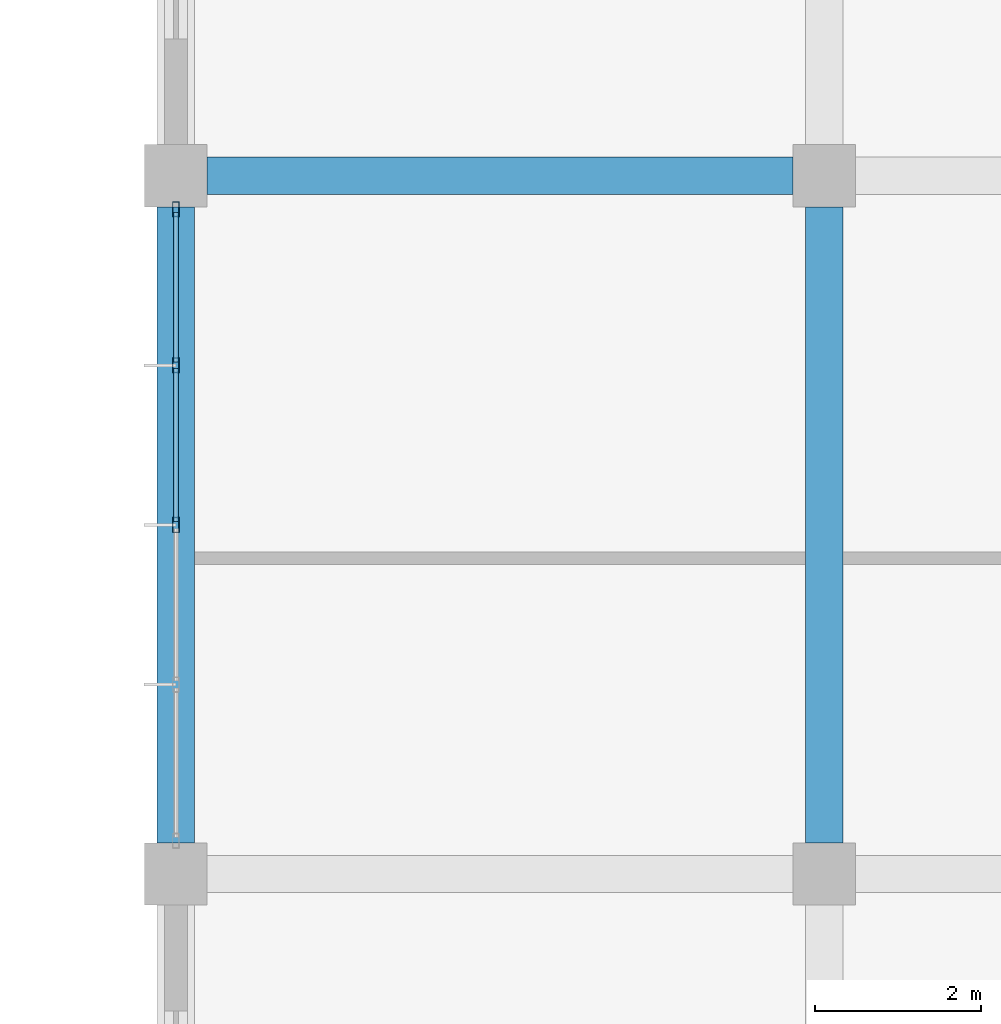
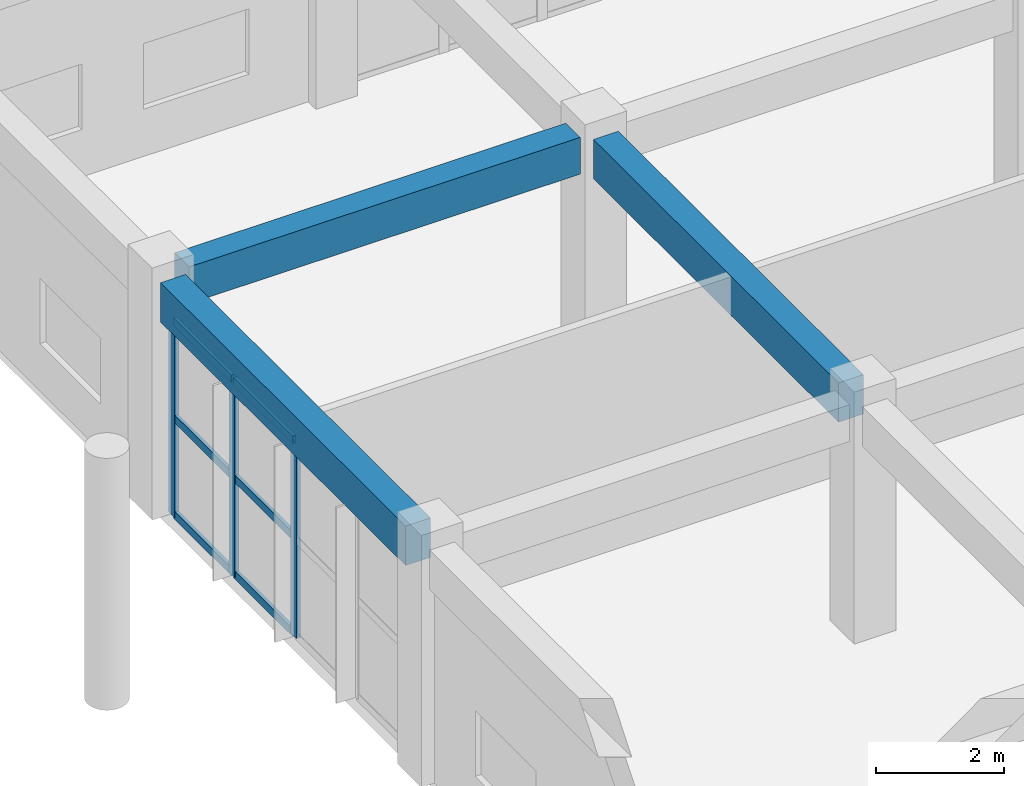
# One storey, part 55 of 167: 9 members, 3 beams, 1 element without a shape of its own.
"""IFC4 building model written with IfcOpenShell, lengths in metres."""

import ifcopenshell
import ifcopenshell.guid

model = None  # the IFC model being written
_history = None  # IfcOwnerHistory: only IFC2X3 demands one
_inside = {}  # id of a spatial element -> (the spatial element, [elements in it])
_under = {}  # id of a project, library or spatial element -> (it, [spatial elements below it])
_declared = {}  # id of a project -> (the project, [libraries it declares])
_typed = {}  # id of a type object -> (the type object, [elements of that type])
_made_of = {}  # id of a material, layer set ... -> (it, [elements and type objects made of it])


def new_model(schema):
    """Start an empty IFC model of exactly this schema.

    Asked for "IFC4X3", IfcOpenShell would pick the latest addendum, in which some entities
    have other attributes; the version numbers below select the first issue.
    IFC2X3 requires an IfcOwnerHistory on every rooted entity: one is made here for all.
    """
    global model, _history
    if schema == "IFC4X3":
        model = ifcopenshell.file(schema_version=(4, 3, 0, 0))
    else:
        model = ifcopenshell.file(schema=schema)
    _inside.clear()
    _under.clear()
    _declared.clear()
    _typed.clear()
    _made_of.clear()
    _history = None
    if model.schema == "IFC2X3":
        org = make("IfcOrganization", Name="unknown")
        user = make(
            "IfcPersonAndOrganization",
            ThePerson=make("IfcPerson", FamilyName="unknown"),
            TheOrganization=org,
        )
        app = make(
            "IfcApplication",
            ApplicationDeveloper=org,
            Version="unknown",
            ApplicationFullName="unknown",
            ApplicationIdentifier="unknown",
        )
        _history = make(
            "IfcOwnerHistory",
            OwningUser=user,
            OwningApplication=app,
            ChangeAction="ADDED",
            CreationDate=0,
        )
    return model


def make(cls, **values):
    """One entity of the class cls with the attributes given. An attribute that is None is left unset."""
    return model.create_entity(
        cls, **{name: value for name, value in values.items() if value is not None}
    )


def rooted(cls, **values):
    """An entity with a GlobalId (a new one), such as an element, a storey or a relation."""
    return make(cls, GlobalId=ifcopenshell.guid.new(), OwnerHistory=_history, **values)


def si_unit(unit_type, name, prefix=None):
    """IfcSIUnit, for example si_unit("LENGTHUNIT", "METRE", prefix="MILLI")."""
    return make("IfcSIUnit", UnitType=unit_type, Prefix=prefix, Name=name)


def assignment(units):
    """IfcUnitAssignment: the units of a project."""
    return None if units is None else make("IfcUnitAssignment", Units=units)


def point(xyz):
    """IfcCartesianPoint."""
    return None if xyz is None else make("IfcCartesianPoint", Coordinates=xyz)


def direction(xyz):
    """IfcDirection."""
    return None if xyz is None else make("IfcDirection", DirectionRatios=xyz)


def frame(location, z_axis=None, x_axis=None):
    """IfcAxis2Placement3D, a coordinate frame: its origin and axes. An axis left out is left unset."""
    return make(
        "IfcAxis2Placement3D",
        Location=point(location),
        Axis=direction(z_axis),
        RefDirection=direction(x_axis),
    )


def frame_2d(location, x_axis=None):
    """IfcAxis2Placement2D, a coordinate frame in the plane: its origin and x axis."""
    return make(
        "IfcAxis2Placement2D", Location=point(location), RefDirection=direction(x_axis)
    )


def origin():
    """The frame at (0, 0, 0) with its axes left unset."""
    return frame((0.0, 0.0, 0.0))


def origin_2d():
    """The frame at (0, 0) in the plane with its x axis left unset."""
    return frame_2d((0.0, 0.0))


def place(relative_to, where):
    """IfcLocalPlacement: puts the frame where relative to a parent placement (None: the world)."""
    return make(
        "IfcLocalPlacement", PlacementRelTo=relative_to, RelativePlacement=where
    )


def context(
    kind, dimensions, precision=None, world=None, true_north=None, identifier=None
):
    """IfcGeometricRepresentationContext, for example the 3D "Model" context."""
    return make(
        "IfcGeometricRepresentationContext",
        ContextIdentifier=identifier,
        ContextType=kind,
        CoordinateSpaceDimension=dimensions,
        Precision=precision,
        WorldCoordinateSystem=world,
        TrueNorth=true_north,
    )


def subcontext(parent, identifier, kind, view, scale=None):
    """IfcGeometricRepresentationSubContext, for example "Body" below "Model"."""
    return make(
        "IfcGeometricRepresentationSubContext",
        ContextIdentifier=identifier,
        ContextType=kind,
        ParentContext=parent,
        TargetScale=scale,
        TargetView=view,
    )


def project(units=None, contexts=None):
    """IfcProject with its units and contexts."""
    return rooted(
        "IfcProject",
        Name="project",
        RepresentationContexts=contexts,
        UnitsInContext=assignment(units),
    )


def spatial(cls, under=None, at=None, **own):
    """A site, building, storey or space (cls), placed at a placement, below another one or the project."""
    s = rooted(cls, ObjectPlacement=at, **own)
    if under is not None:
        _under.setdefault(under.id(), (under, []))[1].append(s)
    return s


def profile(cls, at=None, kind="AREA", **sizes):
    """A parametric profile (cls). Its sizes go by their IFC names, for example OverallWidth=200.0."""
    return make(cls, ProfileType=kind, Position=at, **sizes)


def rectangle(**sizes):
    """IfcRectangleProfileDef."""
    return profile("IfcRectangleProfileDef", **sizes)


def hollow_rectangle(**sizes):
    """IfcRectangleHollowProfileDef."""
    return profile("IfcRectangleHollowProfileDef", **sizes)


def extrude(swept, where, along, depth):
    """IfcExtrudedAreaSolid: the profile swept, set in the frame where, extruded along a direction by depth."""
    return make(
        "IfcExtrudedAreaSolid",
        SweptArea=swept,
        Position=where,
        ExtrudedDirection=direction(along),
        Depth=depth,
    )


def shape(context_of_items, identifier, shape_type, items):
    """IfcShapeRepresentation: the items that make up one representation, for example the "Body"."""
    return make(
        "IfcShapeRepresentation",
        ContextOfItems=context_of_items,
        RepresentationIdentifier=identifier,
        RepresentationType=shape_type,
        Items=items,
    )


def material(Name=None, Category=None):
    """IfcMaterial."""
    return make("IfcMaterial", Name=Name, Category=Category)


def layer(
    of_material, thickness, ventilated=None, Name=None, Category=None, Priority=None
):
    """IfcMaterialLayer: one layer of a wall or slab, of a material (None: an air gap)."""
    return make(
        "IfcMaterialLayer",
        Material=of_material,
        LayerThickness=thickness,
        IsVentilated=ventilated,
        Name=Name,
        Category=Category,
        Priority=Priority,
    )


def layer_set(layers, Name=None):
    """IfcMaterialLayerSet."""
    return make("IfcMaterialLayerSet", MaterialLayers=layers, LayerSetName=Name)


def material_profile(
    of_material, cross_section, Name=None, Category=None, Priority=None
):
    """IfcMaterialProfile: a cross section and its material."""
    return make(
        "IfcMaterialProfile",
        Name=Name,
        Material=of_material,
        Profile=cross_section,
        Priority=Priority,
        Category=Category,
    )


def profile_set(profiles, Name=None, composite=None):
    """IfcMaterialProfileSet."""
    return make(
        "IfcMaterialProfileSet",
        Name=Name,
        MaterialProfiles=profiles,
        CompositeProfile=composite,
    )


def made_of(thing, what):
    """Note that an element or type object is made of a material, layer set ...; save() writes the relation."""
    if what is not None:
        _made_of.setdefault(what.id(), (what, []))[1].append(thing)
    return thing


def type_object(cls, material=None, **own):
    """A type object (cls), such as IfcWallType, which elements share."""
    return made_of(rooted(cls, **own), material)


def element(
    cls,
    number,
    at=None,
    inside=None,
    cuts=None,
    type_object=None,
    material=None,
    context=None,
    identifier="Body",
    shape_type=None,
    held_by="IfcProductDefinitionShape",
    body=None,
    shapes=None,
    **own,
):
    """One element of the class cls, such as IfcWall. Its Tag is "e" and its number.

    at: its placement. inside: the storey or other place that contains it. cuts: it is an
    opening in that element (IfcRelVoidsElement). A single representation is given by context,
    identifier, shape_type and body (its items); several are given by shapes. held_by: the class
    of the entity that holds the representations. save() writes the other relations.
    """
    e = rooted(cls, Tag="e%d" % number, ObjectPlacement=at, **own)
    if body is not None:
        shapes = [shape(context, identifier, shape_type, body)]
    if shapes is not None:
        e.Representation = make(held_by, Representations=shapes)
    if inside is not None:
        _inside.setdefault(inside.id(), (inside, []))[1].append(e)
    if cuts is not None:
        rooted(
            "IfcRelVoidsElement", RelatingBuildingElement=cuts, RelatedOpeningElement=e
        )
    if type_object is not None:
        _typed.setdefault(type_object.id(), (type_object, []))[1].append(e)
    return made_of(e, material)


def aggregate(whole, parts):
    """IfcRelAggregates: a whole, such as a stair, and the parts it consists of."""
    return rooted("IfcRelAggregates", RelatingObject=whole, RelatedObjects=parts)


def save(model, path):
    """Write the relations noted so far, then the file.

    IfcRelAggregates (storeys below a building ...), IfcRelContainedInSpatialStructure (elements
    in a storey), IfcRelDefinesByType, IfcRelAssociatesMaterial and IfcRelDeclares: one each for
    every whole, place, type object, material and project.
    """
    for whole, parts in _under.values():
        aggregate(whole, parts)
    for where, things in _inside.values():
        rooted(
            "IfcRelContainedInSpatialStructure",
            RelatedElements=things,
            RelatingStructure=where,
        )
    for kind, things in _typed.values():
        rooted("IfcRelDefinesByType", RelatedObjects=things, RelatingType=kind)
    for what, things in _made_of.values():
        rooted("IfcRelAssociatesMaterial", RelatedObjects=things, RelatingMaterial=what)
    for by, libraries in _declared.values():
        rooted("IfcRelDeclares", RelatingContext=by, RelatedDefinitions=libraries)
    model.write(path)


model = new_model("IFC4")

# Units and contexts
model_context = context("Model", 3, precision=1e-05, world=origin(), true_north=direction((0.0, 1.0)))
body_context = subcontext(model_context, "Body", "Model", "MODEL_VIEW")
ifc_project = project(units=[si_unit("LENGTHUNIT", "METRE"), si_unit("AREAUNIT", "SQUARE_METRE"), si_unit("VOLUMEUNIT", "CUBIC_METRE"), si_unit("PLANEANGLEUNIT", "RADIAN"), si_unit("MASSUNIT", "GRAM", prefix="KILO")], contexts=[model_context])

# Site, building, storey
site_placement = place(None, origin())
site = spatial("IfcSite", under=ifc_project, at=site_placement, CompositionType="ELEMENT")
building_placement = place(site_placement, origin())
building = spatial("IfcBuilding", under=site, at=building_placement, Name="Zizhar Promenade General Hospital", CompositionType="ELEMENT")
storey_placement = place(building_placement, frame((0.0, 0.0, 9.60009765625)))
storey = spatial("IfcBuildingStorey", under=building, at=storey_placement, Name="L02", CompositionType="ELEMENT", Elevation=9.60009765625)

# Beams
ifc_material_1 = material(Name="Concrete C35/45", Category="concrete")
ifc_material_profile_1 = material_profile(ifc_material_1, rectangle(XDim=0.449951171875, YDim=0.699951171875, at=origin_2d()))
ifc_profile_set_1 = profile_set([ifc_material_profile_1], Name="Concrete C35/45")
beam_type_1 = type_object("IfcBeamType", Name="BM-RC-450x700", PredefinedType="BEAM", material=ifc_profile_set_1)
beam_placement = place(storey_placement, frame((47.175048828125, 126.0, 4.119873046875), z_axis=(1.0, 0.0, 0.0), x_axis=(0.0, 1.0, 0.0)))
element("IfcBeam", 1, at=beam_placement, inside=storey, type_object=beam_type_1, Name="Grid Beam X L02 (6-15)", PredefinedType="BEAM", context=body_context, shape_type="SweptSolid", body=[
    extrude(rectangle(XDim=0.449951171875, YDim=0.699951171875, at=origin_2d()), origin(), (0.0, 0.0, 1.0), 7.050048828125),
])
ifc_material_2 = material(Name="Concrete C35/45", Category="concrete")
ifc_material_profile_2 = material_profile(ifc_material_2, rectangle(XDim=0.449951171875, YDim=0.75, at=origin_2d()))
ifc_profile_set_2 = profile_set([ifc_material_profile_2], Name="Concrete C35/45")
beam_type_2 = type_object("IfcBeamType", Name="BM-RC-450x750", PredefinedType="BEAM", material=ifc_profile_set_2)
for number, where, z_axis, x_axis, name in (
    (2, (46.800048828125, 117.97509765625, 4.094970703125), (0.0, 1.0, 0.0), (-1.0, 0.0, 0.0), "Grid Beam Y L02 (6-14)"),
    (3, (54.60009765625, 117.97509765625, 4.094970703125), (0.0, 1.0, 0.0), (-1.0, 0.0, 0.0), "Grid Beam Y L02 (7-14)"),
):
    element("IfcBeam", number, at=place(storey_placement, frame(where, z_axis=z_axis, x_axis=x_axis)), inside=storey, type_object=beam_type_2, Name=name, PredefinedType="BEAM", context=body_context, shape_type="SweptSolid", body=[
        extrude(rectangle(XDim=0.449951171875, YDim=0.75, at=origin_2d()), origin(), (0.0, 0.0, 1.0), 7.64990234375),
    ])

# Curtain wall, members
ifc_material_3 = material(Name="Anodised aluminium 6063-T6 and low-E glass", Category="aluminium")
ifc_layer = layer(ifc_material_3, 0.159912109375)
ifc_layer_set = layer_set([ifc_layer], Name="Anodised aluminium 6063-T6 and low-E glass")
curtain_wall_type = type_object("IfcCurtainWallType", Name="CW-DT-MOD1", PredefinedType="NOTDEFINED", material=ifc_layer_set)
curtain_wall_placement = place(storey_placement, origin())
curtain_wall = element("IfcCurtainWall", 4, at=curtain_wall_placement, inside=storey, type_object=curtain_wall_type, Name="Surgical West Glazed Curtain Wall L02-14", PredefinedType="NOTDEFINED")
ifc_material_4 = material(Name="Anodised aluminium 6063-T6", Category="aluminium")
ifc_material_profile_3 = material_profile(ifc_material_4, hollow_rectangle(XDim=0.080078125, YDim=0.179931640625, WallThickness=0.0048828125, at=origin_2d()))
ifc_profile_set_3 = profile_set([ifc_material_profile_3], Name="Anodised aluminium 6063-T6")
member_type_1 = type_object("IfcMemberType", Name="CWM-ALU-180x80", PredefinedType="MULLION", material=ifc_profile_set_3)
member_1_placement = place(storey_placement, frame((46.800048828125, 121.800048828125, 0.0), z_axis=(0.0, 0.0, 1.0), x_axis=(-1.0, 0.0, 0.0)))
member_1 = element("IfcMember", 5, at=member_1_placement, type_object=member_type_1, Name="CW-07 mullion 3", PredefinedType="MULLION", context=body_context, shape_type="SweptSolid", body=[
    extrude(hollow_rectangle(XDim=0.080078125, YDim=0.179931640625, WallThickness=0.0048828125, at=origin_2d()), origin(), (0.0, 0.0, 1.0), 3.72998046875),
])
member_2_placement = place(storey_placement, frame((46.800048828125, 123.719970703125, 0.0), z_axis=(0.0, 0.0, 1.0), x_axis=(-1.0, 0.0, 0.0)))
member_2 = element("IfcMember", 6, at=member_2_placement, type_object=member_type_1, Name="CW-07 mullion 4", PredefinedType="MULLION", context=body_context, shape_type="SweptSolid", body=[
    extrude(hollow_rectangle(XDim=0.080078125, YDim=0.179931640625, WallThickness=0.0048828125, at=origin_2d()), origin(), (0.0, 0.0, 1.0), 3.72998046875),
])
member_3_placement = place(storey_placement, frame((46.800048828125, 125.60009765625, 0.0), z_axis=(0.0, 0.0, 1.0), x_axis=(-1.0, 0.0, 0.0)))
member_3 = element("IfcMember", 7, at=member_3_placement, type_object=member_type_1, Name="CW-07 mullion 5", PredefinedType="MULLION", context=body_context, shape_type="SweptSolid", body=[
    extrude(hollow_rectangle(XDim=0.080078125, YDim=0.179931640625, WallThickness=0.0048828125, at=origin_2d()), origin(), (0.0, 0.0, 1.0), 3.72998046875),
])
ifc_material_5 = material(Name="Anodised aluminium 6063-T6", Category="aluminium")
ifc_material_profile_4 = material_profile(ifc_material_5, hollow_rectangle(XDim=0.06005859375, YDim=0.14990234375, WallThickness=0.00390625, at=origin_2d()))
ifc_profile_set_4 = profile_set([ifc_material_profile_4], Name="Anodised aluminium 6063-T6")
member_type_2 = type_object("IfcMemberType", Name="CWT-ALU-150x60", PredefinedType="USERDEFINED", material=ifc_profile_set_4)
member_4_placement = place(storey_placement, frame((46.800048828125, 121.840087890625, 0.02978515625), z_axis=(0.0, 1.0, 0.0), x_axis=(-1.0, 0.0, 0.0)))
member_4 = element("IfcMember", 8, at=member_4_placement, type_object=member_type_2, Name="CW-07 transom 3.1", ObjectType="TRANSOM", PredefinedType="USERDEFINED", context=body_context, shape_type="SweptSolid", body=[
    extrude(hollow_rectangle(XDim=0.06005859375, YDim=0.14990234375, WallThickness=0.00390625, at=origin_2d()), origin(), (0.0, 0.0, 1.0), 1.83984375),
])
member_5_placement = place(storey_placement, frame((46.800048828125, 121.840087890625, 1.864990234375), z_axis=(0.0, 1.0, 0.0), x_axis=(-1.0, 0.0, 0.0)))
member_5 = element("IfcMember", 9, at=member_5_placement, type_object=member_type_2, Name="CW-07 transom 3.2", ObjectType="TRANSOM", PredefinedType="USERDEFINED", context=body_context, shape_type="SweptSolid", body=[
    extrude(hollow_rectangle(XDim=0.06005859375, YDim=0.14990234375, WallThickness=0.00390625, at=origin_2d()), origin(), (0.0, 0.0, 1.0), 1.83984375),
])
member_6_placement = place(storey_placement, frame((46.800048828125, 121.840087890625, 3.699951171875), z_axis=(0.0, 1.0, 0.0), x_axis=(-1.0, 0.0, 0.0)))
member_6 = element("IfcMember", 10, at=member_6_placement, type_object=member_type_2, Name="CW-07 transom 3.3", ObjectType="TRANSOM", PredefinedType="USERDEFINED", context=body_context, shape_type="SweptSolid", body=[
    extrude(hollow_rectangle(XDim=0.06005859375, YDim=0.14990234375, WallThickness=0.00390625, at=origin_2d()), origin(), (0.0, 0.0, 1.0), 1.83984375),
])
member_7_placement = place(storey_placement, frame((46.800048828125, 123.760009765625, 0.02978515625), z_axis=(0.0, 1.0, 0.0), x_axis=(-1.0, 0.0, 0.0)))
member_7 = element("IfcMember", 11, at=member_7_placement, type_object=member_type_2, Name="CW-07 transom 4.1", ObjectType="TRANSOM", PredefinedType="USERDEFINED", context=body_context, shape_type="SweptSolid", body=[
    extrude(hollow_rectangle(XDim=0.06005859375, YDim=0.14990234375, WallThickness=0.00390625, at=origin_2d()), origin(), (0.0, 0.0, 1.0), 1.800048828125),
])
member_8_placement = place(storey_placement, frame((46.800048828125, 123.760009765625, 1.864990234375), z_axis=(0.0, 1.0, 0.0), x_axis=(-1.0, 0.0, 0.0)))
member_8 = element("IfcMember", 12, at=member_8_placement, type_object=member_type_2, Name="CW-07 transom 4.2", ObjectType="TRANSOM", PredefinedType="USERDEFINED", context=body_context, shape_type="SweptSolid", body=[
    extrude(hollow_rectangle(XDim=0.06005859375, YDim=0.14990234375, WallThickness=0.00390625, at=origin_2d()), origin(), (0.0, 0.0, 1.0), 1.800048828125),
])
member_9_placement = place(storey_placement, frame((46.800048828125, 123.760009765625, 3.699951171875), z_axis=(0.0, 1.0, 0.0), x_axis=(-1.0, 0.0, 0.0)))
member_9 = element("IfcMember", 13, at=member_9_placement, type_object=member_type_2, Name="CW-07 transom 4.3", ObjectType="TRANSOM", PredefinedType="USERDEFINED", context=body_context, shape_type="SweptSolid", body=[
    extrude(hollow_rectangle(XDim=0.06005859375, YDim=0.14990234375, WallThickness=0.00390625, at=origin_2d()), origin(), (0.0, 0.0, 1.0), 1.800048828125),
])
aggregate(curtain_wall, [member_1, member_2, member_3, member_4, member_5, member_6, member_7, member_8, member_9])

save(model, "model.ifc")
